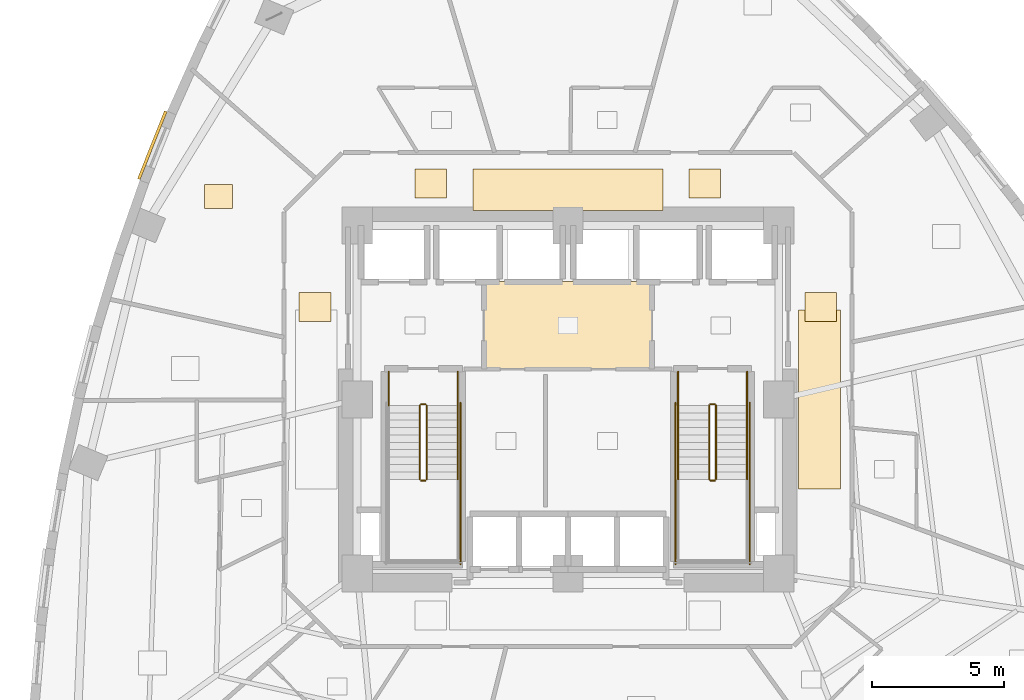
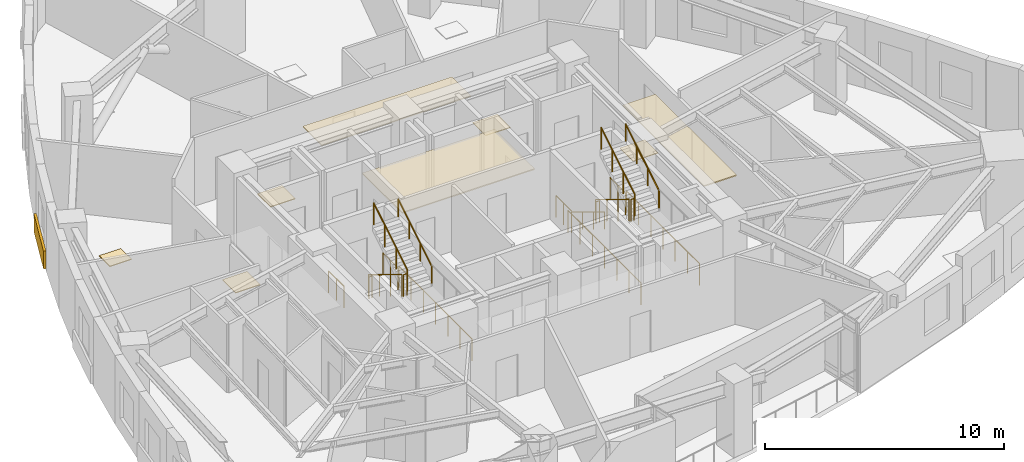
# One storey, part 11 of 12: 18 railings, 9 coverings.
"""IFC4 building model written with IfcOpenShell, lengths in metres."""

from ifc_helpers import new_model, si_unit, direction, frame, origin, origin_2d, place, context, subcontext, project, spatial, rectangle, circle, extrude, material, layer, layer_set, type_object, element, save


model = new_model("IFC4")

# Units and contexts
model_context = context("Model", 3, precision=1e-05, world=origin(), true_north=direction((0.0, 1.0)))
body_context = subcontext(model_context, "Body", "Model", "MODEL_VIEW")
ifc_project = project(units=[si_unit("LENGTHUNIT", "METRE"), si_unit("AREAUNIT", "SQUARE_METRE"), si_unit("VOLUMEUNIT", "CUBIC_METRE"), si_unit("PLANEANGLEUNIT", "RADIAN"), si_unit("MASSUNIT", "GRAM", prefix="KILO")], contexts=[model_context])

# Site, building, storey
site_placement = place(None, origin())
site = spatial("IfcSite", under=ifc_project, at=site_placement, CompositionType="ELEMENT")
building_placement = place(site_placement, origin())
building = spatial("IfcBuilding", under=site, at=building_placement, Name="Ndelora Gate Hotel", CompositionType="ELEMENT")
storey_placement = place(building_placement, frame((0.0, 0.0, 71.75)))
storey = spatial("IfcBuildingStorey", under=building, at=storey_placement, Name="L17", CompositionType="ELEMENT", Elevation=71.75)

# Coverings
ifc_material_1 = material(Name="Perforated Acoustic Gypsum Board", Category="gypsum")
ifc_layer_1 = layer(ifc_material_1, 0.054931640625)
ifc_layer_set_1 = layer_set([ifc_layer_1], Name="Perforated Acoustic Gypsum Board")
covering_type_1 = type_object("IfcCoveringType", Name="COV-CEIL-AC60", PredefinedType="CEILING", material=ifc_layer_set_1)
covering_1_placement = place(storey_placement, frame((0.0, 2.800048828125, 2.72265625), z_axis=(0.0, 0.0, 1.0), x_axis=(1.0, 0.0, 0.0)))
element("IfcCovering", 1, at=covering_1_placement, inside=storey, type_object=covering_type_1, Name="L17 Lift Lobby Acoustic Ceiling", PredefinedType="CEILING", context=body_context, shape_type="SweptSolid", body=[
    extrude(rectangle(XDim=6.39990234375, YDim=3.340087890625, at=origin_2d()), origin(), (0.0, 0.0, 1.0), 0.054931640625),
])
covering_2_placement = place(storey_placement, frame((0.0, 7.9599609375, 2.65234375), z_axis=(0.0, 0.0, 1.0), x_axis=(1.0, 0.0, 0.0)))
element("IfcCovering", 2, at=covering_2_placement, inside=storey, type_object=covering_type_1, Name="L17 Guest Corridor Acoustic Ceiling N", PredefinedType="CEILING", context=body_context, shape_type="SweptSolid", body=[
    extrude(rectangle(XDim=7.199951171875, YDim=1.580078125, at=origin_2d()), origin(), (0.0, 0.0, 1.0), 0.054931640625),
])
covering_3_placement = place(storey_placement, frame((9.550048828125, 0.0, 2.65234375), z_axis=(0.0, 0.0, 1.0), x_axis=(1.0, 0.0, 0.0)))
element("IfcCovering", 3, at=covering_3_placement, inside=storey, type_object=covering_type_1, Name="L17 Guest Corridor Acoustic Ceiling E", PredefinedType="CEILING", context=body_context, shape_type="SweptSolid", body=[
    extrude(rectangle(XDim=1.580078125, YDim=6.800048828125, at=origin_2d()), origin(), (0.0, 0.0, 1.0), 0.054931640625),
])
ifc_material_2 = material(Name="Terracotta Fired Clay Brick Slip Cladding", Category="masonry")
ifc_layer_2 = layer(ifc_material_2, 0.110107421875)
ifc_layer_set_2 = layer_set([ifc_layer_2], Name="Terracotta Fired Clay Brick Slip Cladding")
covering_type_2 = type_object("IfcCoveringType", Name="COV-CLAD-BRK", PredefinedType="CLADDING", material=ifc_layer_set_2)
covering_4_placement = place(storey_placement, frame((-15.774169921875, 9.650146484375, 0.10009765625), z_axis=(0.0, 0.0, 1.0), x_axis=(0.369260213935, 0.929326043111, 0.0)))
element("IfcCovering", 4, at=covering_4_placement, inside=storey, type_object=covering_type_2, Name="L17 Rounded-Corner Brick Cladding Band 13", PredefinedType="CLADDING", context=body_context, shape_type="SweptSolid", body=[
    extrude(rectangle(XDim=2.764892578125, YDim=0.110107421875, at=origin_2d()), origin(), (0.0, 0.0, 1.0), 0.89990234375),
])
ifc_material_3 = material(Name="Engineered Highland Oak Parquet", Category="wood")
ifc_layer_3 = layer(ifc_material_3, 0.030029296875)
ifc_layer_set_3 = layer_set([ifc_layer_3], Name="Engineered Highland Oak Parquet")
covering_type_3 = type_object("IfcCoveringType", Name="COV-FLR-PARQ", PredefinedType="FLOORING", material=ifc_layer_set_3)
covering_5_placement = place(storey_placement, frame((-13.259033203125, 7.698486328125, 0.0), z_axis=(0.0, 0.0, 1.0), x_axis=(1.0, 0.0, 0.0)))
element("IfcCovering", 5, at=covering_5_placement, inside=storey, type_object=covering_type_3, Name="L17 Espresso Cocktail Bar Oak Parquet Flooring", PredefinedType="FLOORING", context=body_context, shape_type="SweptSolid", body=[
    extrude(rectangle(XDim=1.050048828125, YDim=0.89990234375, at=origin_2d()), origin(), (0.0, 0.0, 1.0), 0.030029296875),
])
ifc_material_4 = material(Name="Polished Highland Stone Terrazzo", Category="masonry")
ifc_layer_4 = layer(ifc_material_4, 0.034912109375)
ifc_layer_set_4 = layer_set([ifc_layer_4], Name="Polished Highland Stone Terrazzo")
covering_type_4 = type_object("IfcCoveringType", Name="COV-FLR-TERZ", PredefinedType="FLOORING", material=ifc_layer_set_4)
for number, where, z_axis, x_axis, name in (
    (6, (-5.199951171875, 8.199951171875, 0.0), (0.0, 0.0, 1.0), (1.0, 0.0, 0.0), "L17 Corridor Threshold Terrazzo Inlay NW"),
    (7, (5.199951171875, 8.199951171875, 0.0), (0.0, 0.0, 1.0), (1.0, 0.0, 0.0), "L17 Corridor Threshold Terrazzo Inlay NE"),
    (8, (-9.60009765625, 3.5, 0.0), (0.0, 0.0, 1.0), (1.0, 0.0, 0.0), "L17 Corridor Threshold Terrazzo Inlay W"),
    (9, (9.60009765625, 3.5, 0.0), (0.0, 0.0, 1.0), (1.0, 0.0, 0.0), "L17 Corridor Threshold Terrazzo Inlay E"),
):
    element("IfcCovering", number, at=place(storey_placement, frame(where, z_axis=z_axis, x_axis=x_axis)), inside=storey, type_object=covering_type_4, Name=name, PredefinedType="FLOORING", context=body_context, shape_type="SweptSolid", body=[
        extrude(rectangle(XDim=1.199951171875, YDim=1.10009765625, at=origin_2d()), origin(), (0.0, 0.0, 1.0), 0.034912109375),
    ])

# Railings
ifc_material_5 = material(Name="Painted Galvanized Steel Balustrade", Category="steel")
ifc_layer_5 = layer(ifc_material_5, 0.06005859375)
ifc_layer_set_5 = layer_set([ifc_layer_5], Name="Painted Galvanized Steel Balustrade")
railing_type_1 = type_object("IfcRailingType", Name="RL-STAIR-GD", PredefinedType="GUARDRAIL", material=ifc_layer_set_5)
railing_1_placement = place(storey_placement, frame((-5.6201171875, -0.22998046875, 0.17041015625)))
element("IfcRailing", 10, at=railing_1_placement, inside=storey, type_object=railing_type_1, Name="L17 ST4 stair guard 1", PredefinedType="GUARDRAIL", context=body_context, shape_type="SweptSolid", body=[
    extrude(circle(Radius=0.02392578125, at=origin_2d()), frame((0.0, 0.0, 1.10595703125), z_axis=(0.0, -0.854169791009, 0.51999420009), x_axis=(1.0, 0.0, 0.0)), (0.0, 0.0, 1.0), 3.278076171875),
    extrude(circle(Radius=0.02099609375, at=origin_2d()), origin(), (0.0, 0.0, 1.0), 1.081787109375),
    extrude(circle(Radius=0.02099609375, at=origin_2d()), frame((0.0, -0.933349609375, 0.568115234375)), (0.0, 0.0, 1.0), 1.081787109375),
    extrude(circle(Radius=0.02099609375, at=origin_2d()), frame((0.0, -1.86669921875, 1.136474609375)), (0.0, 0.0, 1.0), 1.081787109375),
    extrude(circle(Radius=0.02099609375, at=origin_2d()), frame((0.0, -2.800048828125, 1.70458984375)), (0.0, 0.0, 1.0), 1.081787109375),
])
railing_2_placement = place(storey_placement, frame((-5.570068359375, -3.080078125, 1.875)))
element("IfcRailing", 11, at=railing_2_placement, inside=storey, type_object=railing_type_1, Name="L17 ST4 stair guard 2", PredefinedType="GUARDRAIL", context=body_context, shape_type="SweptSolid", body=[
    extrude(circle(Radius=0.02392578125, at=origin_2d()), frame((0.0, 0.0, 1.10595703125), z_axis=(1.0, 0.0, 0.0), x_axis=(0.0, 1.0, 0.0)), (0.0, 0.0, 1.0), 0.16015625),
    extrude(circle(Radius=0.02099609375, at=origin_2d()), origin(), (0.0, 0.0, 1.0), 1.081787109375),
    extrude(circle(Radius=0.02099609375, at=origin_2d()), frame((0.16015625, 0.0, 0.0)), (0.0, 0.0, 1.0), 1.081787109375),
])
railing_3_placement = place(storey_placement, frame((-5.360107421875, -3.030029296875, 2.04541015625)))
element("IfcRailing", 12, at=railing_3_placement, inside=storey, type_object=railing_type_1, Name="L17 ST4 stair guard 6", PredefinedType="GUARDRAIL", context=body_context, shape_type="SweptSolid", body=[
    extrude(circle(Radius=0.02392578125, at=origin_2d()), frame((0.0, 0.0, 1.10595703125), z_axis=(0.0, 0.854169791009, 0.51999420009), x_axis=(-1.0, 0.0, 0.0)), (0.0, 0.0, 1.0), 3.278076171875),
    extrude(circle(Radius=0.02099609375, at=origin_2d()), origin(), (0.0, 0.0, 1.0), 1.081787109375),
    extrude(circle(Radius=0.02099609375, at=origin_2d()), frame((0.0, 0.933349609375, 0.568115234375)), (0.0, 0.0, 1.0), 1.081787109375),
    extrude(circle(Radius=0.02099609375, at=origin_2d()), frame((0.0, 1.86669921875, 1.136474609375)), (0.0, 0.0, 1.0), 1.081787109375),
    extrude(circle(Radius=0.02099609375, at=origin_2d()), frame((0.0, 2.800048828125, 1.70458984375)), (0.0, 0.0, 1.0), 1.081787109375),
])
railing_4_placement = place(storey_placement, frame((-5.570068359375, -0.179931640625, 0.0)))
element("IfcRailing", 13, at=railing_4_placement, inside=storey, type_object=railing_type_1, Name="L17 ST4 stair guard 7", PredefinedType="GUARDRAIL", context=body_context, shape_type="SweptSolid", body=[
    extrude(circle(Radius=0.02392578125, at=origin_2d()), frame((0.0, 0.0, 1.10595703125), z_axis=(1.0, 0.0, 0.0), x_axis=(0.0, 1.0, 0.0)), (0.0, 0.0, 1.0), 0.16015625),
    extrude(circle(Radius=0.02099609375, at=origin_2d()), origin(), (0.0, 0.0, 1.0), 1.081787109375),
    extrude(circle(Radius=0.02099609375, at=origin_2d()), frame((0.16015625, 0.0, 0.0)), (0.0, 0.0, 1.0), 1.081787109375),
])
for number, where, name in (
    (14, (-6.800048828125, 1.050048828125, 0.0), "L17 ST4 stair guard 8"),
    (15, (-4.179931640625, 1.050048828125, 0.0), "L17 ST4 stair guard 9"),
):
    element("IfcRailing", number, at=place(storey_placement, frame(where)), inside=storey, type_object=railing_type_1, Name=name, PredefinedType="GUARDRAIL", context=body_context, shape_type="SweptSolid", body=[
        extrude(circle(Radius=0.02392578125, at=origin_2d()), frame((0.0, 0.0, 1.10595703125), z_axis=(0.0, -1.0, 0.0), x_axis=(1.0, 0.0, 0.0)), (0.0, 0.0, 1.0), 1.280029296875),
        extrude(circle(Radius=0.02099609375, at=origin_2d()), origin(), (0.0, 0.0, 1.0), 1.081787109375),
        extrude(circle(Radius=0.02099609375, at=origin_2d()), frame((0.0, -0.64013671875, 0.0)), (0.0, 0.0, 1.0), 1.081787109375),
        extrude(circle(Radius=0.02099609375, at=origin_2d()), frame((0.0, -1.280029296875, 0.0)), (0.0, 0.0, 1.0), 1.081787109375),
    ])
railing_5_placement = place(storey_placement, frame((-4.080078125, -0.1298828125, 0.0)))
element("IfcRailing", 16, at=railing_5_placement, inside=storey, type_object=railing_type_1, Name="L17 ST4 stair guard 11", PredefinedType="GUARDRAIL", context=body_context, shape_type="SweptSolid", body=[
    extrude(circle(Radius=0.02392578125, at=origin_2d()), frame((0.0, 0.0, 1.10595703125), z_axis=(0.0, -1.0, 0.0), x_axis=(1.0, 0.0, 0.0)), (0.0, 0.0, 1.0), 6.1201171875),
    extrude(circle(Radius=0.02099609375, at=origin_2d()), origin(), (0.0, 0.0, 1.0), 1.081787109375),
    extrude(circle(Radius=0.02099609375, at=origin_2d()), frame((0.0, -1.02001953125, 0.0)), (0.0, 0.0, 1.0), 1.081787109375),
    extrude(circle(Radius=0.02099609375, at=origin_2d()), frame((0.0, -2.0400390625, 0.0)), (0.0, 0.0, 1.0), 1.081787109375),
    extrude(circle(Radius=0.02099609375, at=origin_2d()), frame((0.0, -3.06005859375, 0.0)), (0.0, 0.0, 1.0), 1.081787109375),
    extrude(circle(Radius=0.02099609375, at=origin_2d()), frame((0.0, -4.080078125, 0.0)), (0.0, 0.0, 1.0), 1.081787109375),
    extrude(circle(Radius=0.02099609375, at=origin_2d()), frame((0.0, -5.10009765625, 0.0)), (0.0, 0.0, 1.0), 1.081787109375),
    extrude(circle(Radius=0.02099609375, at=origin_2d()), frame((0.0, -6.1201171875, 0.0)), (0.0, 0.0, 1.0), 1.081787109375),
])
railing_6_placement = place(storey_placement, frame((5.360107421875, -0.22998046875, 0.17041015625)))
element("IfcRailing", 17, at=railing_6_placement, inside=storey, type_object=railing_type_1, Name="L17 ST5 stair guard 1", PredefinedType="GUARDRAIL", context=body_context, shape_type="SweptSolid", body=[
    extrude(circle(Radius=0.02392578125, at=origin_2d()), frame((0.0, 0.0, 1.10595703125), z_axis=(0.0, -0.854169791009, 0.51999420009), x_axis=(1.0, 0.0, 0.0)), (0.0, 0.0, 1.0), 3.278076171875),
    extrude(circle(Radius=0.02099609375, at=origin_2d()), origin(), (0.0, 0.0, 1.0), 1.081787109375),
    extrude(circle(Radius=0.02099609375, at=origin_2d()), frame((0.0, -0.933349609375, 0.568115234375)), (0.0, 0.0, 1.0), 1.081787109375),
    extrude(circle(Radius=0.02099609375, at=origin_2d()), frame((0.0, -1.86669921875, 1.136474609375)), (0.0, 0.0, 1.0), 1.081787109375),
    extrude(circle(Radius=0.02099609375, at=origin_2d()), frame((0.0, -2.800048828125, 1.70458984375)), (0.0, 0.0, 1.0), 1.081787109375),
])
railing_7_placement = place(storey_placement, frame((5.409912109375, -3.080078125, 1.875)))
element("IfcRailing", 18, at=railing_7_placement, inside=storey, type_object=railing_type_1, Name="L17 ST5 stair guard 2", PredefinedType="GUARDRAIL", context=body_context, shape_type="SweptSolid", body=[
    extrude(circle(Radius=0.02392578125, at=origin_2d()), frame((0.0, 0.0, 1.10595703125), z_axis=(1.0, 0.0, 0.0), x_axis=(0.0, 1.0, 0.0)), (0.0, 0.0, 1.0), 0.16015625),
    extrude(circle(Radius=0.02099609375, at=origin_2d()), origin(), (0.0, 0.0, 1.0), 1.081787109375),
    extrude(circle(Radius=0.02099609375, at=origin_2d()), frame((0.16015625, 0.0, 0.0)), (0.0, 0.0, 1.0), 1.081787109375),
])
railing_8_placement = place(storey_placement, frame((5.6201171875, -3.030029296875, 2.04541015625)))
element("IfcRailing", 19, at=railing_8_placement, inside=storey, type_object=railing_type_1, Name="L17 ST5 stair guard 6", PredefinedType="GUARDRAIL", context=body_context, shape_type="SweptSolid", body=[
    extrude(circle(Radius=0.02392578125, at=origin_2d()), frame((0.0, 0.0, 1.10595703125), z_axis=(0.0, 0.854169791009, 0.51999420009), x_axis=(-1.0, 0.0, 0.0)), (0.0, 0.0, 1.0), 3.278076171875),
    extrude(circle(Radius=0.02099609375, at=origin_2d()), origin(), (0.0, 0.0, 1.0), 1.081787109375),
    extrude(circle(Radius=0.02099609375, at=origin_2d()), frame((0.0, 0.933349609375, 0.568115234375)), (0.0, 0.0, 1.0), 1.081787109375),
    extrude(circle(Radius=0.02099609375, at=origin_2d()), frame((0.0, 1.86669921875, 1.136474609375)), (0.0, 0.0, 1.0), 1.081787109375),
    extrude(circle(Radius=0.02099609375, at=origin_2d()), frame((0.0, 2.800048828125, 1.70458984375)), (0.0, 0.0, 1.0), 1.081787109375),
])
railing_9_placement = place(storey_placement, frame((5.409912109375, -0.179931640625, 0.0)))
element("IfcRailing", 20, at=railing_9_placement, inside=storey, type_object=railing_type_1, Name="L17 ST5 stair guard 7", PredefinedType="GUARDRAIL", context=body_context, shape_type="SweptSolid", body=[
    extrude(circle(Radius=0.02392578125, at=origin_2d()), frame((0.0, 0.0, 1.10595703125), z_axis=(1.0, 0.0, 0.0), x_axis=(0.0, 1.0, 0.0)), (0.0, 0.0, 1.0), 0.16015625),
    extrude(circle(Radius=0.02099609375, at=origin_2d()), origin(), (0.0, 0.0, 1.0), 1.081787109375),
    extrude(circle(Radius=0.02099609375, at=origin_2d()), frame((0.16015625, 0.0, 0.0)), (0.0, 0.0, 1.0), 1.081787109375),
])
for number, where, name in (
    (21, (4.179931640625, 1.050048828125, 0.0), "L17 ST5 stair guard 8"),
    (22, (6.800048828125, 1.050048828125, 0.0), "L17 ST5 stair guard 9"),
):
    element("IfcRailing", number, at=place(storey_placement, frame(where)), inside=storey, type_object=railing_type_1, Name=name, PredefinedType="GUARDRAIL", context=body_context, shape_type="SweptSolid", body=[
        extrude(circle(Radius=0.02392578125, at=origin_2d()), frame((0.0, 0.0, 1.10595703125), z_axis=(0.0, -1.0, 0.0), x_axis=(1.0, 0.0, 0.0)), (0.0, 0.0, 1.0), 1.280029296875),
        extrude(circle(Radius=0.02099609375, at=origin_2d()), origin(), (0.0, 0.0, 1.0), 1.081787109375),
        extrude(circle(Radius=0.02099609375, at=origin_2d()), frame((0.0, -0.64013671875, 0.0)), (0.0, 0.0, 1.0), 1.081787109375),
        extrude(circle(Radius=0.02099609375, at=origin_2d()), frame((0.0, -1.280029296875, 0.0)), (0.0, 0.0, 1.0), 1.081787109375),
    ])
for number, where, name in (
    (23, (4.080078125, -0.1298828125, 0.0), "L17 ST5 stair guard 10"),
    (24, (6.89990234375, -0.1298828125, 0.0), "L17 ST5 stair guard 11"),
):
    element("IfcRailing", number, at=place(storey_placement, frame(where)), inside=storey, type_object=railing_type_1, Name=name, PredefinedType="GUARDRAIL", context=body_context, shape_type="SweptSolid", body=[
        extrude(circle(Radius=0.02392578125, at=origin_2d()), frame((0.0, 0.0, 1.10595703125), z_axis=(0.0, -1.0, 0.0), x_axis=(1.0, 0.0, 0.0)), (0.0, 0.0, 1.0), 6.1201171875),
        extrude(circle(Radius=0.02099609375, at=origin_2d()), origin(), (0.0, 0.0, 1.0), 1.081787109375),
        extrude(circle(Radius=0.02099609375, at=origin_2d()), frame((0.0, -1.02001953125, 0.0)), (0.0, 0.0, 1.0), 1.081787109375),
        extrude(circle(Radius=0.02099609375, at=origin_2d()), frame((0.0, -2.0400390625, 0.0)), (0.0, 0.0, 1.0), 1.081787109375),
        extrude(circle(Radius=0.02099609375, at=origin_2d()), frame((0.0, -3.06005859375, 0.0)), (0.0, 0.0, 1.0), 1.081787109375),
        extrude(circle(Radius=0.02099609375, at=origin_2d()), frame((0.0, -4.080078125, 0.0)), (0.0, 0.0, 1.0), 1.081787109375),
        extrude(circle(Radius=0.02099609375, at=origin_2d()), frame((0.0, -5.10009765625, 0.0)), (0.0, 0.0, 1.0), 1.081787109375),
        extrude(circle(Radius=0.02099609375, at=origin_2d()), frame((0.0, -6.1201171875, 0.0)), (0.0, 0.0, 1.0), 1.081787109375),
    ])
ifc_material_6 = material(Name="Brushed Stainless Steel 316", Category="steel")
ifc_layer_6 = layer(ifc_material_6, 0.050048828125)
ifc_layer_set_6 = layer_set([ifc_layer_6], Name="Brushed Stainless Steel 316")
railing_type_2 = type_object("IfcRailingType", Name="RL-STAIR-HR", PredefinedType="HANDRAIL", material=ifc_layer_set_6)
railing_10_placement = place(storey_placement, frame((-4.179931640625, -3.030029296875, 2.04541015625)))
element("IfcRailing", 25, at=railing_10_placement, inside=storey, type_object=railing_type_2, Name="L17 ST4 stair handrail 2", PredefinedType="HANDRAIL", context=body_context, shape_type="SweptSolid", body=[
    extrude(circle(Radius=0.02392578125, at=origin_2d()), frame((0.0, 0.0, 0.8759765625), z_axis=(0.0, 0.854169791009, 0.51999420009), x_axis=(-1.0, 0.0, 0.0)), (0.0, 0.0, 1.0), 3.278076171875),
    extrude(circle(Radius=0.02099609375, at=origin_2d()), origin(), (0.0, 0.0, 1.0), 0.851806640625),
    extrude(circle(Radius=0.02099609375, at=origin_2d()), frame((0.0, 0.933349609375, 0.568115234375)), (0.0, 0.0, 1.0), 0.851806640625),
    extrude(circle(Radius=0.02099609375, at=origin_2d()), frame((0.0, 1.86669921875, 1.136474609375)), (0.0, 0.0, 1.0), 0.851806640625),
    extrude(circle(Radius=0.02099609375, at=origin_2d()), frame((0.0, 2.800048828125, 1.70458984375)), (0.0, 0.0, 1.0), 0.851806640625),
])
railing_11_placement = place(storey_placement, frame((4.179931640625, -0.22998046875, 0.17041015625)))
element("IfcRailing", 26, at=railing_11_placement, inside=storey, type_object=railing_type_2, Name="L17 ST5 stair handrail 1", PredefinedType="HANDRAIL", context=body_context, shape_type="SweptSolid", body=[
    extrude(circle(Radius=0.02392578125, at=origin_2d()), frame((0.0, 0.0, 0.8759765625), z_axis=(0.0, -0.854169791009, 0.51999420009), x_axis=(1.0, 0.0, 0.0)), (0.0, 0.0, 1.0), 3.278076171875),
    extrude(circle(Radius=0.02099609375, at=origin_2d()), origin(), (0.0, 0.0, 1.0), 0.851806640625),
    extrude(circle(Radius=0.02099609375, at=origin_2d()), frame((0.0, -0.933349609375, 0.568115234375)), (0.0, 0.0, 1.0), 0.851806640625),
    extrude(circle(Radius=0.02099609375, at=origin_2d()), frame((0.0, -1.86669921875, 1.136474609375)), (0.0, 0.0, 1.0), 0.851806640625),
    extrude(circle(Radius=0.02099609375, at=origin_2d()), frame((0.0, -2.800048828125, 1.70458984375)), (0.0, 0.0, 1.0), 0.851806640625),
])
railing_12_placement = place(storey_placement, frame((6.800048828125, -3.030029296875, 2.04541015625)))
element("IfcRailing", 27, at=railing_12_placement, inside=storey, type_object=railing_type_2, Name="L17 ST5 stair handrail 2", PredefinedType="HANDRAIL", context=body_context, shape_type="SweptSolid", body=[
    extrude(circle(Radius=0.02392578125, at=origin_2d()), frame((0.0, 0.0, 0.8759765625), z_axis=(0.0, 0.854169791009, 0.51999420009), x_axis=(-1.0, 0.0, 0.0)), (0.0, 0.0, 1.0), 3.278076171875),
    extrude(circle(Radius=0.02099609375, at=origin_2d()), origin(), (0.0, 0.0, 1.0), 0.851806640625),
    extrude(circle(Radius=0.02099609375, at=origin_2d()), frame((0.0, 0.933349609375, 0.568115234375)), (0.0, 0.0, 1.0), 0.851806640625),
    extrude(circle(Radius=0.02099609375, at=origin_2d()), frame((0.0, 1.86669921875, 1.136474609375)), (0.0, 0.0, 1.0), 0.851806640625),
    extrude(circle(Radius=0.02099609375, at=origin_2d()), frame((0.0, 2.800048828125, 1.70458984375)), (0.0, 0.0, 1.0), 0.851806640625),
])

save(model, "model.ifc")
